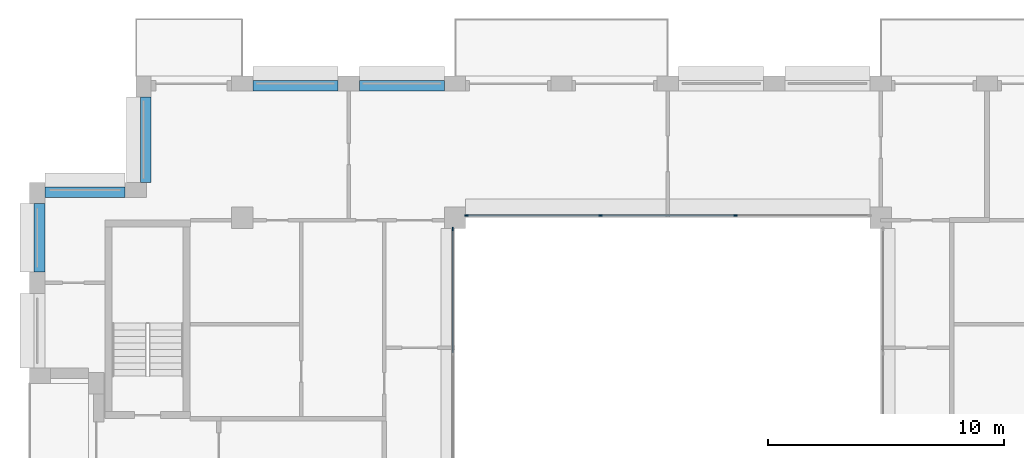
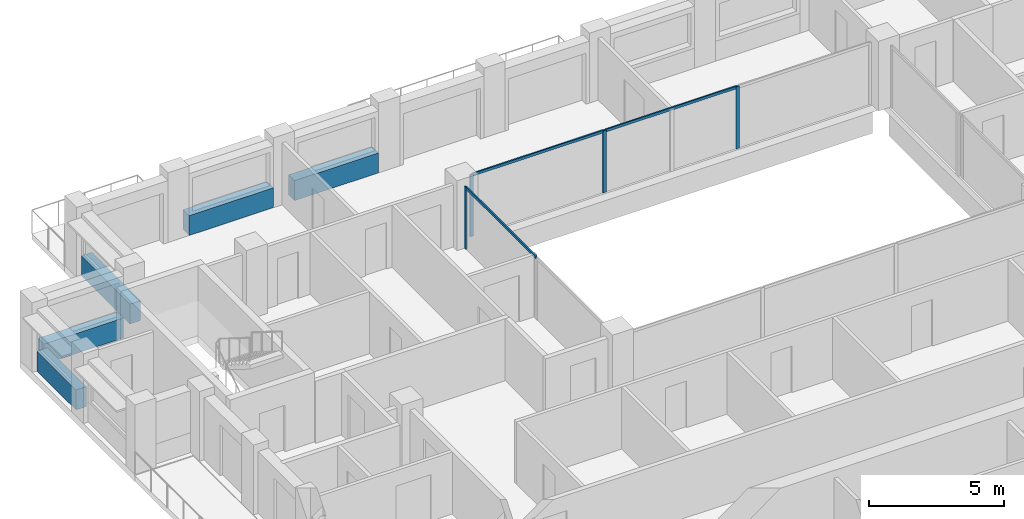
# One storey, part 5 of 15: 7 members, 5 beams, 2 elements without a shape of their own.
"""IFC4 building model written with IfcOpenShell, lengths in metres."""

from ifc_helpers import new_model, si_unit, direction, frame, origin, origin_2d, place, context, subcontext, project, spatial, rectangle, extrude, material, layer, layer_set, material_profile, profile_set, type_object, element, aggregate, save


model = new_model("IFC4")

# Units and contexts
model_context = context("Model", 3, precision=1e-05, world=origin(), true_north=direction((0.0, 1.0)))
body_context = subcontext(model_context, "Body", "Model", "MODEL_VIEW")
ifc_project = project(units=[si_unit("LENGTHUNIT", "METRE"), si_unit("AREAUNIT", "SQUARE_METRE"), si_unit("VOLUMEUNIT", "CUBIC_METRE"), si_unit("PLANEANGLEUNIT", "RADIAN"), si_unit("MASSUNIT", "GRAM", prefix="KILO")], contexts=[model_context])

# Site, building, storey
site_placement = place(None, origin())
site = spatial("IfcSite", under=ifc_project, at=site_placement, CompositionType="ELEMENT")
building_placement = place(site_placement, origin())
building = spatial("IfcBuilding", under=site, at=building_placement, Name="Brigalow Station Residences", CompositionType="ELEMENT")
storey_placement = place(building_placement, frame((0.0, 0.0, 232.64990234375)))
storey = spatial("IfcBuildingStorey", under=building, at=storey_placement, Name="L67", CompositionType="ELEMENT", Elevation=232.64990234375)

# Curtain wall, members
ifc_material_1 = material(Name="Aluminium", Category="aluminium")
ifc_layer = layer(ifc_material_1, 0.14990234375)
ifc_layer_set = layer_set([ifc_layer], Name="ATRIUM FIRE-RATED GLAZING CURTAIN WALL")
curtain_wall_type = type_object("IfcCurtainWallType", Name="ATRIUM FIRE-RATED GLAZING CURTAIN WALL", PredefinedType="NOTDEFINED", material=ifc_layer_set)
curtain_wall_1_placement = place(storey_placement, origin())
curtain_wall_1 = element("IfcCurtainWall", 1, at=curtain_wall_1_placement, inside=storey, type_object=curtain_wall_type, Name="L67/cw/atrium-N", PredefinedType="NOTDEFINED")
ifc_material_2 = material(Name="Aluminium", Category="aluminium")
ifc_material_profile_1 = material_profile(ifc_material_2, rectangle(XDim=0.06005859375, YDim=0.14990234375, at=origin_2d()), Name="ATRIUM FIRE-RATED GLAZING MULLION 60x150")
ifc_profile_set_1 = profile_set([ifc_material_profile_1], Name="Aluminium")
member_type_1 = type_object("IfcMemberType", Name="ATRIUM FIRE-RATED GLAZING MULLION 60x150", PredefinedType="MULLION", material=ifc_profile_set_1)
member_1_placement = place(storey_placement, frame((38.85009765625, 35.60009765625, 0.0), z_axis=(0.0, 0.0, 1.0), x_axis=(0.0, -1.0, 0.0)))
member_1 = element("IfcMember", 2, at=member_1_placement, type_object=member_type_1, Name="L67/cw/atrium-N/M01", PredefinedType="MULLION", context=body_context, shape_type="SweptSolid", body=[
    extrude(rectangle(XDim=0.06005859375, YDim=0.14990234375, at=origin_2d()), origin(), (0.0, 0.0, 1.0), 2.800048828125),
])
member_2_placement = place(storey_placement, frame((33.14990234375, 35.60009765625, 0.0), z_axis=(0.0, 0.0, 1.0), x_axis=(0.0, -1.0, 0.0)))
member_2 = element("IfcMember", 3, at=member_2_placement, type_object=member_type_1, Name="L67/cw/atrium-N/M02", PredefinedType="MULLION", context=body_context, shape_type="SweptSolid", body=[
    extrude(rectangle(XDim=0.06005859375, YDim=0.14990234375, at=origin_2d()), origin(), (0.0, 0.0, 1.0), 2.800048828125),
])
member_3_placement = place(storey_placement, frame((27.47998046875, 35.60009765625, 0.0), z_axis=(0.0, 0.0, 1.0), x_axis=(0.0, -1.0, 0.0)))
member_3 = element("IfcMember", 4, at=member_3_placement, type_object=member_type_1, Name="L67/cw/atrium-N/M03", PredefinedType="MULLION", context=body_context, shape_type="SweptSolid", body=[
    extrude(rectangle(XDim=0.06005859375, YDim=0.14990234375, at=origin_2d()), origin(), (0.0, 0.0, 1.0), 2.800048828125),
])

# Curtain wall, member
curtain_wall_2_placement = place(storey_placement, origin())
curtain_wall_2 = element("IfcCurtainWall", 5, at=curtain_wall_2_placement, inside=storey, type_object=curtain_wall_type, Name="L67/cw/atrium-W", PredefinedType="NOTDEFINED")
member_4_placement = place(storey_placement, frame((26.89990234375, 35.02001953125, 0.0), z_axis=(0.0, 0.0, 1.0), x_axis=(1.0, 0.0, 0.0)))
member_4 = element("IfcMember", 6, at=member_4_placement, type_object=member_type_1, Name="L67/cw/atrium-W/M00", PredefinedType="MULLION", context=body_context, shape_type="SweptSolid", body=[
    extrude(rectangle(XDim=0.06005859375, YDim=0.14990234375, at=origin_2d()), origin(), (0.0, 0.0, 1.0), 2.800048828125),
])

# Member
ifc_material_3 = material(Name="Aluminium", Category="aluminium")
ifc_material_profile_2 = material_profile(ifc_material_3, rectangle(XDim=0.06005859375, YDim=0.1201171875, at=origin_2d()), Name="ATRIUM FIRE-RATED GLAZING TRANSOM 60x120")
ifc_profile_set_2 = profile_set([ifc_material_profile_2], Name="Aluminium")
member_type_2 = type_object("IfcMemberType", Name="ATRIUM FIRE-RATED GLAZING TRANSOM 60x120", PredefinedType="USERDEFINED", material=ifc_profile_set_2)
member_5_placement = place(storey_placement, frame((38.820068359375, 35.60009765625, 2.77001953125), z_axis=(-1.0, 0.0, 0.0), x_axis=(0.0, -1.0, 0.0)))
member_5 = element("IfcMember", 7, at=member_5_placement, type_object=member_type_2, Name="L67/cw/atrium-N/T01-00", ObjectType="TRANSOM", PredefinedType="USERDEFINED", context=body_context, shape_type="SweptSolid", body=[
    extrude(rectangle(XDim=0.06005859375, YDim=0.1201171875, at=origin_2d()), origin(), (0.0, 0.0, 1.0), 5.64013671875),
])

member_6_placement = place(storey_placement, frame((33.1201171875, 35.60009765625, 2.77001953125), z_axis=(-1.0, 0.0, 0.0), x_axis=(0.0, -1.0, 0.0)))
member_6 = element("IfcMember", 8, at=member_6_placement, type_object=member_type_2, Name="L67/cw/atrium-N/T02-00", ObjectType="TRANSOM", PredefinedType="USERDEFINED", context=body_context, shape_type="SweptSolid", body=[
    extrude(rectangle(XDim=0.06005859375, YDim=0.1201171875, at=origin_2d()), origin(), (0.0, 0.0, 1.0), 5.610107421875),
])

aggregate(curtain_wall_1, [member_1, member_2, member_3, member_5, member_6])

member_7_placement = place(storey_placement, frame((26.89990234375, 34.989990234375, 2.77001953125), z_axis=(0.0, -1.0, 0.0), x_axis=(1.0, 0.0, 0.0)))
member_7 = element("IfcMember", 9, at=member_7_placement, type_object=member_type_2, Name="L67/cw/atrium-W/T00-00", ObjectType="TRANSOM", PredefinedType="USERDEFINED", context=body_context, shape_type="SweptSolid", body=[
    extrude(rectangle(XDim=0.06005859375, YDim=0.1201171875, at=origin_2d()), origin(), (0.0, 0.0, 1.0), 5.2099609375),
])

aggregate(curtain_wall_2, [member_4, member_7])

# Beams
ifc_material_4 = material(Name="Concrete C50", Category="concrete")
ifc_material_profile_3 = material_profile(ifc_material_4, rectangle(XDim=0.449951171875, YDim=0.89990234375, at=origin_2d()), Name="RC450x900")
ifc_profile_set_3 = profile_set([ifc_material_profile_3], Name="Concrete C50")
beam_type = type_object("IfcBeamType", Name="SPANDREL BEAM 450x900 C50", PredefinedType="SPANDREL", material=ifc_profile_set_3)
for number, where, z_axis, x_axis, name in (
    (10, (26.550048828125, 41.074951171875, 0.4501953125), (-1.0, 0.0, 0.0), (0.0, -1.0, 0.0), "L67/spandrel/W-L67-29"),
    (11, (22.050048828125, 41.074951171875, 0.4501953125), (-1.0, 0.0, 0.0), (0.0, -1.0, 0.0), "L67/spandrel/W-L67-30"),
    (12, (13.925048828125, 40.60009765625, 0.4501953125), (0.0, -1.0, 0.0), (1.0, 0.0, 0.0), "L67/spandrel/W-L67-32"),
):
    element("IfcBeam", number, at=place(storey_placement, frame(where, z_axis=z_axis, x_axis=x_axis)), inside=storey, type_object=beam_type, Name=name, PredefinedType="SPANDREL", context=body_context, shape_type="SweptSolid", body=[
        extrude(rectangle(XDim=0.449951171875, YDim=0.89990234375, at=origin_2d()), origin(), (0.0, 0.0, 1.0), 3.60009765625),
    ])
beam_1_placement = place(storey_placement, frame((13.050048828125, 36.574951171875, 0.4501953125), z_axis=(-1.0, 0.0, 0.0), x_axis=(0.0, -1.0, 0.0)))
element("IfcBeam", 13, at=beam_1_placement, inside=storey, type_object=beam_type, Name="L67/spandrel/W-L67-33", PredefinedType="SPANDREL", context=body_context, shape_type="SweptSolid", body=[
    extrude(rectangle(XDim=0.449951171875, YDim=0.89990234375, at=origin_2d()), origin(), (0.0, 0.0, 1.0), 3.400146484375),
])
beam_2_placement = place(storey_placement, frame((9.425048828125, 36.10009765625, 0.4501953125), z_axis=(0.0, -1.0, 0.0), x_axis=(1.0, 0.0, 0.0)))
element("IfcBeam", 14, at=beam_2_placement, inside=storey, type_object=beam_type, Name="L67/spandrel/W-L67-34", PredefinedType="SPANDREL", context=body_context, shape_type="SweptSolid", body=[
    extrude(rectangle(XDim=0.449951171875, YDim=0.89990234375, at=origin_2d()), origin(), (0.0, 0.0, 1.0), 2.900146484375),
])

save(model, "model.ifc")
